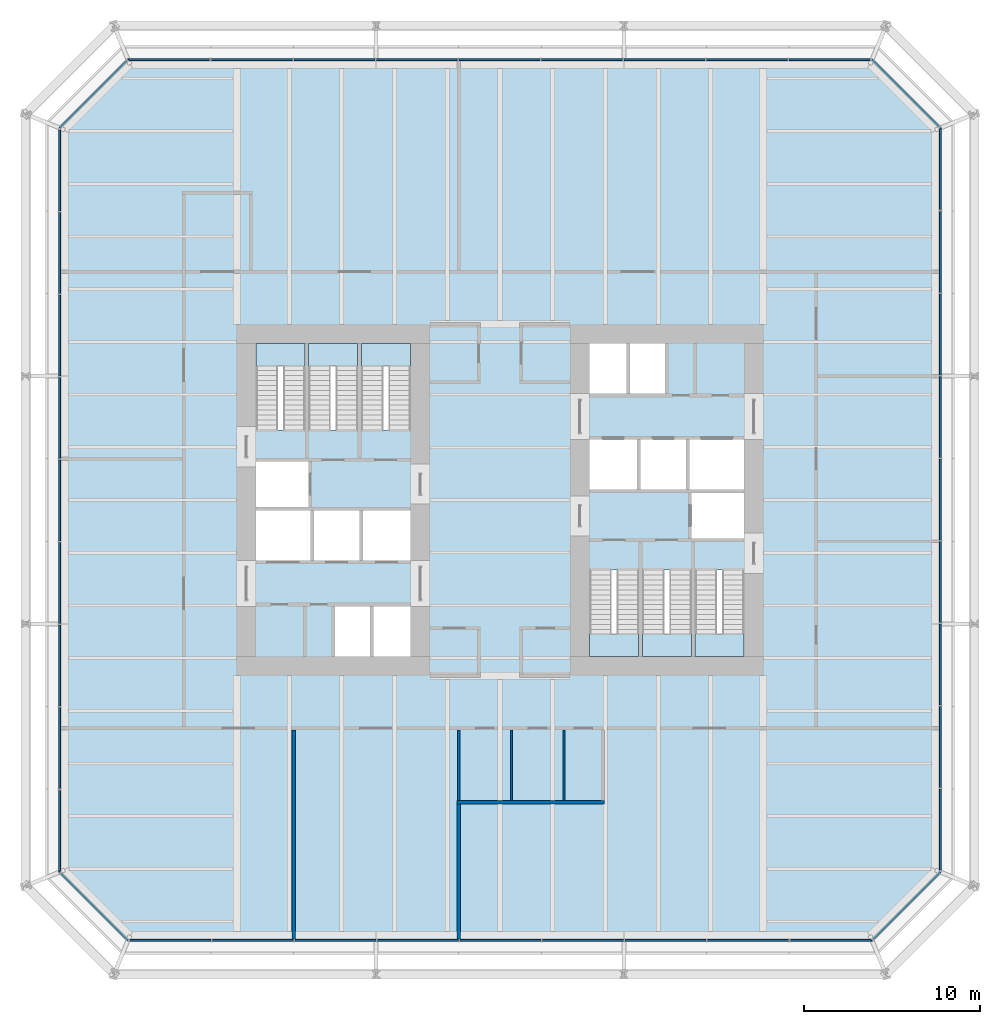
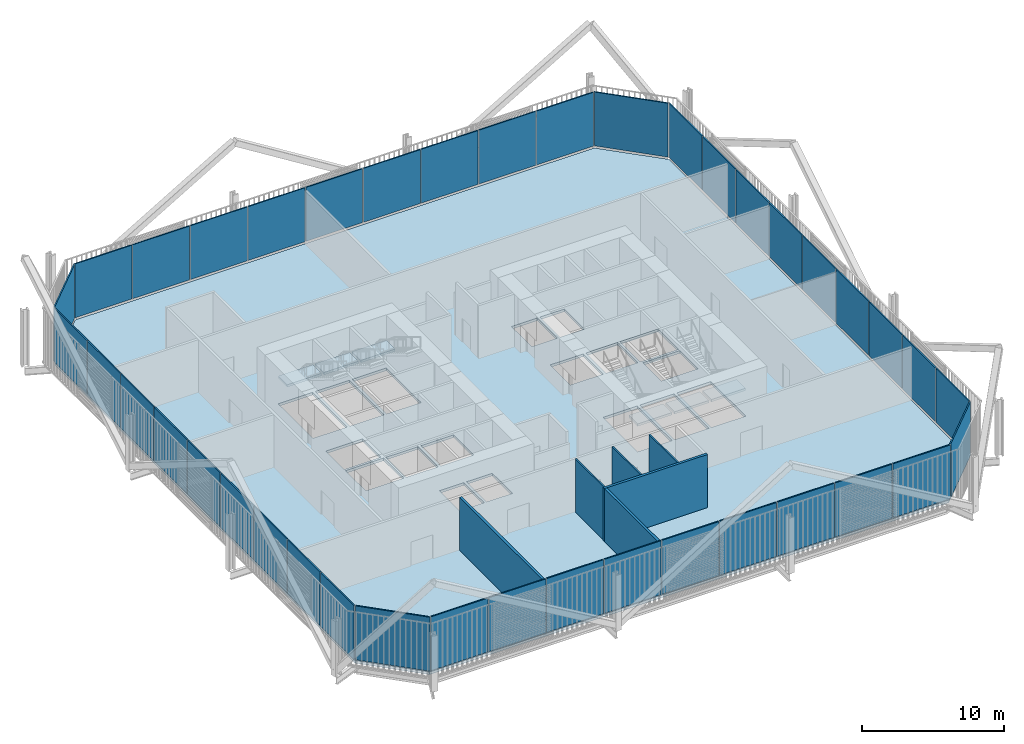
# One storey, part 17 of 22: 40 plates, 7 slabs, 6 walls, 14 elements without a shape of their own.
"""IFC4 building model written with IfcOpenShell, lengths in metres."""

from ifc_helpers import new_model, si_unit, direction, frame, frame_2d, origin, place, context, subcontext, project, spatial, polyline, rectangle, outline, extrude, material, layer, layer_set, type_object, element, aggregate, save


model = new_model("IFC4")

# Units and contexts
model_context = context("Model", 3, precision=1e-05, world=origin(), true_north=direction((0.0, 1.0)))
body_context = subcontext(model_context, "Body", "Model", "MODEL_VIEW")
ifc_project = project(units=[si_unit("LENGTHUNIT", "METRE"), si_unit("AREAUNIT", "SQUARE_METRE"), si_unit("VOLUMEUNIT", "CUBIC_METRE"), si_unit("PLANEANGLEUNIT", "RADIAN"), si_unit("MASSUNIT", "GRAM", prefix="KILO")], contexts=[model_context])

# Site, building, storey
site_placement = place(None, origin())
site = spatial("IfcSite", under=ifc_project, at=site_placement, CompositionType="ELEMENT")
building_placement = place(site_placement, origin())
building = spatial("IfcBuilding", under=site, at=building_placement, Name="Millrace Tower", CompositionType="ELEMENT")
storey_placement = place(building_placement, frame((0.0, 0.0, 20.89990234375)))
storey = spatial("IfcBuildingStorey", under=building, at=storey_placement, Name="L05", CompositionType="ELEMENT", Elevation=20.89990234375)

# Curtain wall, plate
ifc_material_1 = material(Name="Aluminium and glass", Category="aluminium")
ifc_layer_1 = layer(ifc_material_1, 0.14990234375)
ifc_layer_set_1 = layer_set([ifc_layer_1], Name="Aluminium and glass")
curtain_wall_type = type_object("IfcCurtainWallType", Name="CW-2 data hall insulated curtain wall", PredefinedType="NOTDEFINED", material=ifc_layer_set_1)
placement_1 = place(storey_placement, origin())
curtain_wall_1 = element("IfcCurtainWall", 1, at=placement_1, inside=storey, type_object=curtain_wall_type, Name="Curtain wall A-F01 L05", PredefinedType="NOTDEFINED")
ifc_material_2 = material(Name="Glass", Category="glass")
ifc_layer_2 = layer(ifc_material_2, 0.10009765625)
ifc_layer_set_2 = layer_set([ifc_layer_2], Name="Glass")
plate_type = type_object("IfcPlateType", Name="CW-2 data hall insulated curtain wall insulated cassette with vision slot", PredefinedType="CURTAIN_PANEL", material=ifc_layer_set_2)
placement_2 = place(storey_placement, frame((0.0, 0.0, 0.16015625)))
plate_1 = element("IfcPlate", 2, at=placement_2, type_object=plate_type, Name="CW2 panel A-F01.1", PredefinedType="CURTAIN_PANEL", context=body_context, shape_type="SweptSolid", body=[
    extrude(outline(polyline([(-25.04248046875, -21.284423828125), (-21.20166015625, -25.125), (-21.160400390625, -25.02490234375), (-24.9716796875, -21.213623046875), (-25.04248046875, -21.284423828125)])), origin(), (0.0, 0.0, 1.0), 4.639892578125),
])
aggregate(curtain_wall_1, [plate_1])

# Curtain wall, plates
curtain_wall_2 = element("IfcCurtainWall", 3, at=placement_1, inside=storey, type_object=curtain_wall_type, Name="Curtain wall A-F02 L05", PredefinedType="NOTDEFINED")
plate_2 = element("IfcPlate", 4, at=placement_2, type_object=plate_type, Name="CW2 panel A-F02.1", PredefinedType="CURTAIN_PANEL", context=body_context, shape_type="SweptSolid", body=[
    extrude(outline(polyline([(-21.0849609375, -25.125), (-16.449951171875, -25.125), (-16.449951171875, -25.02490234375), (-21.0849609375, -25.02490234375), (-21.0849609375, -25.125)])), origin(), (0.0, 0.0, 1.0), 4.639892578125),
])
plate_3 = element("IfcPlate", 5, at=placement_2, type_object=plate_type, Name="CW2 panel A-F02.2", PredefinedType="CURTAIN_PANEL", context=body_context, shape_type="SweptSolid", body=[
    extrude(outline(polyline([(-16.385009765625, -25.125), (-11.75, -25.125), (-11.75, -25.02490234375), (-16.385009765625, -25.02490234375), (-16.385009765625, -25.125)])), origin(), (0.0, 0.0, 1.0), 4.639892578125),
])
plate_4 = element("IfcPlate", 6, at=placement_2, type_object=plate_type, Name="CW2 panel A-F02.3", PredefinedType="CURTAIN_PANEL", context=body_context, shape_type="SweptSolid", body=[
    extrude(outline(polyline([(-11.68505859375, -25.125), (-7.050048828125, -25.125), (-7.050048828125, -25.02490234375), (-11.68505859375, -25.02490234375), (-11.68505859375, -25.125)])), origin(), (0.0, 0.0, 1.0), 4.639892578125),
])
plate_5 = element("IfcPlate", 7, at=placement_2, type_object=plate_type, Name="CW2 panel A-F02.4", PredefinedType="CURTAIN_PANEL", context=body_context, shape_type="SweptSolid", body=[
    extrude(outline(polyline([(-6.985107421875, -25.125), (-2.35009765625, -25.125), (-2.35009765625, -25.02490234375), (-6.985107421875, -25.02490234375), (-6.985107421875, -25.125)])), origin(), (0.0, 0.0, 1.0), 4.639892578125),
])
plate_6 = element("IfcPlate", 8, at=placement_2, type_object=plate_type, Name="CW2 panel A-F02.5", PredefinedType="CURTAIN_PANEL", context=body_context, shape_type="SweptSolid", body=[
    extrude(outline(polyline([(-2.284912109375, -25.125), (2.35009765625, -25.125), (2.35009765625, -25.02490234375), (-2.284912109375, -25.02490234375), (-2.284912109375, -25.125)])), origin(), (0.0, 0.0, 1.0), 4.639892578125),
])
plate_7 = element("IfcPlate", 9, at=placement_2, type_object=plate_type, Name="CW2 panel A-F02.6", PredefinedType="CURTAIN_PANEL", context=body_context, shape_type="SweptSolid", body=[
    extrude(outline(polyline([(2.4150390625, -25.125), (7.050048828125, -25.125), (7.050048828125, -25.02490234375), (2.4150390625, -25.02490234375), (2.4150390625, -25.125)])), origin(), (0.0, 0.0, 1.0), 4.639892578125),
])
plate_8 = element("IfcPlate", 10, at=placement_2, type_object=plate_type, Name="CW2 panel A-F02.7", PredefinedType="CURTAIN_PANEL", context=body_context, shape_type="SweptSolid", body=[
    extrude(outline(polyline([(7.114990234375, -25.125), (11.75, -25.125), (11.75, -25.02490234375), (7.114990234375, -25.02490234375), (7.114990234375, -25.125)])), origin(), (0.0, 0.0, 1.0), 4.639892578125),
])
plate_9 = element("IfcPlate", 11, at=placement_2, type_object=plate_type, Name="CW2 panel A-F02.8", PredefinedType="CURTAIN_PANEL", context=body_context, shape_type="SweptSolid", body=[
    extrude(outline(polyline([(11.81494140625, -25.125), (16.449951171875, -25.125), (16.449951171875, -25.02490234375), (11.81494140625, -25.02490234375), (11.81494140625, -25.125)])), origin(), (0.0, 0.0, 1.0), 4.639892578125),
])
plate_10 = element("IfcPlate", 12, at=placement_2, type_object=plate_type, Name="CW2 panel A-F02.9", PredefinedType="CURTAIN_PANEL", context=body_context, shape_type="SweptSolid", body=[
    extrude(outline(polyline([(16.514892578125, -25.125), (21.20166015625, -25.125), (21.160400390625, -25.02490234375), (16.514892578125, -25.02490234375), (16.514892578125, -25.125)])), origin(), (0.0, 0.0, 1.0), 4.639892578125),
])
aggregate(curtain_wall_2, [plate_2, plate_3, plate_4, plate_5, plate_6, plate_7, plate_8, plate_9, plate_10])

# Curtain wall, plate
curtain_wall_3 = element("IfcCurtainWall", 13, at=placement_1, inside=storey, type_object=curtain_wall_type, Name="Curtain wall A-F03 L05", PredefinedType="NOTDEFINED")
plate_11 = element("IfcPlate", 14, at=placement_2, type_object=plate_type, Name="CW2 panel A-F03.1", PredefinedType="CURTAIN_PANEL", context=body_context, shape_type="SweptSolid", body=[
    extrude(outline(polyline([(21.284423828125, -25.04248046875), (25.125, -21.20166015625), (25.02490234375, -21.160400390625), (21.213623046875, -24.9716796875), (21.284423828125, -25.04248046875)])), origin(), (0.0, 0.0, 1.0), 4.639892578125),
])
aggregate(curtain_wall_3, [plate_11])

# Curtain wall, plates
curtain_wall_4 = element("IfcCurtainWall", 15, at=placement_1, inside=storey, type_object=curtain_wall_type, Name="Curtain wall A-F04 L05", PredefinedType="NOTDEFINED")
plate_12 = element("IfcPlate", 16, at=placement_2, type_object=plate_type, Name="CW2 panel A-F04.1", PredefinedType="CURTAIN_PANEL", context=body_context, shape_type="SweptSolid", body=[
    extrude(outline(polyline([(25.125, -21.0849609375), (25.125, -16.449951171875), (25.02490234375, -16.449951171875), (25.02490234375, -21.0849609375), (25.125, -21.0849609375)])), origin(), (0.0, 0.0, 1.0), 4.639892578125),
])
plate_13 = element("IfcPlate", 17, at=placement_2, type_object=plate_type, Name="CW2 panel A-F04.2", PredefinedType="CURTAIN_PANEL", context=body_context, shape_type="SweptSolid", body=[
    extrude(outline(polyline([(25.125, -16.385009765625), (25.125, -11.75), (25.02490234375, -11.75), (25.02490234375, -16.385009765625), (25.125, -16.385009765625)])), origin(), (0.0, 0.0, 1.0), 4.639892578125),
])
plate_14 = element("IfcPlate", 18, at=placement_2, type_object=plate_type, Name="CW2 panel A-F04.3", PredefinedType="CURTAIN_PANEL", context=body_context, shape_type="SweptSolid", body=[
    extrude(outline(polyline([(25.125, -11.68505859375), (25.125, -7.050048828125), (25.02490234375, -7.050048828125), (25.02490234375, -11.68505859375), (25.125, -11.68505859375)])), origin(), (0.0, 0.0, 1.0), 4.639892578125),
])
plate_15 = element("IfcPlate", 19, at=placement_2, type_object=plate_type, Name="CW2 panel A-F04.4", PredefinedType="CURTAIN_PANEL", context=body_context, shape_type="SweptSolid", body=[
    extrude(outline(polyline([(25.125, -6.985107421875), (25.125, -2.35009765625), (25.02490234375, -2.35009765625), (25.02490234375, -6.985107421875), (25.125, -6.985107421875)])), origin(), (0.0, 0.0, 1.0), 4.639892578125),
])
plate_16 = element("IfcPlate", 20, at=placement_2, type_object=plate_type, Name="CW2 panel A-F04.5", PredefinedType="CURTAIN_PANEL", context=body_context, shape_type="SweptSolid", body=[
    extrude(outline(polyline([(25.125, -2.284912109375), (25.125, 2.35009765625), (25.02490234375, 2.35009765625), (25.02490234375, -2.284912109375), (25.125, -2.284912109375)])), origin(), (0.0, 0.0, 1.0), 4.639892578125),
])
plate_17 = element("IfcPlate", 21, at=placement_2, type_object=plate_type, Name="CW2 panel A-F04.6", PredefinedType="CURTAIN_PANEL", context=body_context, shape_type="SweptSolid", body=[
    extrude(outline(polyline([(25.125, 2.4150390625), (25.125, 7.050048828125), (25.02490234375, 7.050048828125), (25.02490234375, 2.4150390625), (25.125, 2.4150390625)])), origin(), (0.0, 0.0, 1.0), 4.639892578125),
])
plate_18 = element("IfcPlate", 22, at=placement_2, type_object=plate_type, Name="CW2 panel A-F04.7", PredefinedType="CURTAIN_PANEL", context=body_context, shape_type="SweptSolid", body=[
    extrude(outline(polyline([(25.125, 7.114990234375), (25.125, 11.75), (25.02490234375, 11.75), (25.02490234375, 7.114990234375), (25.125, 7.114990234375)])), origin(), (0.0, 0.0, 1.0), 4.639892578125),
])
plate_19 = element("IfcPlate", 23, at=placement_2, type_object=plate_type, Name="CW2 panel A-F04.8", PredefinedType="CURTAIN_PANEL", context=body_context, shape_type="SweptSolid", body=[
    extrude(outline(polyline([(25.125, 11.81494140625), (25.125, 16.449951171875), (25.02490234375, 16.449951171875), (25.02490234375, 11.81494140625), (25.125, 11.81494140625)])), origin(), (0.0, 0.0, 1.0), 4.639892578125),
])
plate_20 = element("IfcPlate", 24, at=placement_2, type_object=plate_type, Name="CW2 panel A-F04.9", PredefinedType="CURTAIN_PANEL", context=body_context, shape_type="SweptSolid", body=[
    extrude(outline(polyline([(25.125, 16.514892578125), (25.125, 21.20166015625), (25.02490234375, 21.160400390625), (25.02490234375, 16.514892578125), (25.125, 16.514892578125)])), origin(), (0.0, 0.0, 1.0), 4.639892578125),
])
aggregate(curtain_wall_4, [plate_12, plate_13, plate_14, plate_15, plate_16, plate_17, plate_18, plate_19, plate_20])

# Curtain wall, plate
curtain_wall_5 = element("IfcCurtainWall", 25, at=placement_1, inside=storey, type_object=curtain_wall_type, Name="Curtain wall A-F05 L05", PredefinedType="NOTDEFINED")
plate_21 = element("IfcPlate", 26, at=placement_2, type_object=plate_type, Name="CW2 panel A-F05.1", PredefinedType="CURTAIN_PANEL", context=body_context, shape_type="SweptSolid", body=[
    extrude(outline(polyline([(25.04248046875, 21.284423828125), (21.20166015625, 25.125), (21.160400390625, 25.02490234375), (24.9716796875, 21.213623046875), (25.04248046875, 21.284423828125)])), origin(), (0.0, 0.0, 1.0), 4.639892578125),
])
aggregate(curtain_wall_5, [plate_21])

# Curtain wall, plates
curtain_wall_6 = element("IfcCurtainWall", 27, at=placement_1, inside=storey, type_object=curtain_wall_type, Name="Curtain wall A-F06 L05", PredefinedType="NOTDEFINED")
plate_22 = element("IfcPlate", 28, at=placement_2, type_object=plate_type, Name="CW2 panel A-F06.1", PredefinedType="CURTAIN_PANEL", context=body_context, shape_type="SweptSolid", body=[
    extrude(outline(polyline([(21.0849609375, 25.125), (16.449951171875, 25.125), (16.449951171875, 25.02490234375), (21.0849609375, 25.02490234375), (21.0849609375, 25.125)])), origin(), (0.0, 0.0, 1.0), 4.639892578125),
])
plate_23 = element("IfcPlate", 29, at=placement_2, type_object=plate_type, Name="CW2 panel A-F06.2", PredefinedType="CURTAIN_PANEL", context=body_context, shape_type="SweptSolid", body=[
    extrude(outline(polyline([(16.385009765625, 25.125), (11.75, 25.125), (11.75, 25.02490234375), (16.385009765625, 25.02490234375), (16.385009765625, 25.125)])), origin(), (0.0, 0.0, 1.0), 4.639892578125),
])
plate_24 = element("IfcPlate", 30, at=placement_2, type_object=plate_type, Name="CW2 panel A-F06.3", PredefinedType="CURTAIN_PANEL", context=body_context, shape_type="SweptSolid", body=[
    extrude(outline(polyline([(11.68505859375, 25.125), (7.050048828125, 25.125), (7.050048828125, 25.02490234375), (11.68505859375, 25.02490234375), (11.68505859375, 25.125)])), origin(), (0.0, 0.0, 1.0), 4.639892578125),
])
plate_25 = element("IfcPlate", 31, at=placement_2, type_object=plate_type, Name="CW2 panel A-F06.4", PredefinedType="CURTAIN_PANEL", context=body_context, shape_type="SweptSolid", body=[
    extrude(outline(polyline([(6.985107421875, 25.125), (2.35009765625, 25.125), (2.35009765625, 25.02490234375), (6.985107421875, 25.02490234375), (6.985107421875, 25.125)])), origin(), (0.0, 0.0, 1.0), 4.639892578125),
])
plate_26 = element("IfcPlate", 32, at=placement_2, type_object=plate_type, Name="CW2 panel A-F06.5", PredefinedType="CURTAIN_PANEL", context=body_context, shape_type="SweptSolid", body=[
    extrude(outline(polyline([(2.284912109375, 25.125), (-2.35009765625, 25.125), (-2.35009765625, 25.02490234375), (2.284912109375, 25.02490234375), (2.284912109375, 25.125)])), origin(), (0.0, 0.0, 1.0), 4.639892578125),
])
plate_27 = element("IfcPlate", 33, at=placement_2, type_object=plate_type, Name="CW2 panel A-F06.6", PredefinedType="CURTAIN_PANEL", context=body_context, shape_type="SweptSolid", body=[
    extrude(outline(polyline([(-2.4150390625, 25.125), (-7.050048828125, 25.125), (-7.050048828125, 25.02490234375), (-2.4150390625, 25.02490234375), (-2.4150390625, 25.125)])), origin(), (0.0, 0.0, 1.0), 4.639892578125),
])
plate_28 = element("IfcPlate", 34, at=placement_2, type_object=plate_type, Name="CW2 panel A-F06.7", PredefinedType="CURTAIN_PANEL", context=body_context, shape_type="SweptSolid", body=[
    extrude(outline(polyline([(-7.114990234375, 25.125), (-11.75, 25.125), (-11.75, 25.02490234375), (-7.114990234375, 25.02490234375), (-7.114990234375, 25.125)])), origin(), (0.0, 0.0, 1.0), 4.639892578125),
])
plate_29 = element("IfcPlate", 35, at=placement_2, type_object=plate_type, Name="CW2 panel A-F06.8", PredefinedType="CURTAIN_PANEL", context=body_context, shape_type="SweptSolid", body=[
    extrude(outline(polyline([(-11.81494140625, 25.125), (-16.449951171875, 25.125), (-16.449951171875, 25.02490234375), (-11.81494140625, 25.02490234375), (-11.81494140625, 25.125)])), origin(), (0.0, 0.0, 1.0), 4.639892578125),
])
plate_30 = element("IfcPlate", 36, at=placement_2, type_object=plate_type, Name="CW2 panel A-F06.9", PredefinedType="CURTAIN_PANEL", context=body_context, shape_type="SweptSolid", body=[
    extrude(outline(polyline([(-16.514892578125, 25.125), (-21.20166015625, 25.125), (-21.160400390625, 25.02490234375), (-16.514892578125, 25.02490234375), (-16.514892578125, 25.125)])), origin(), (0.0, 0.0, 1.0), 4.639892578125),
])
aggregate(curtain_wall_6, [plate_22, plate_23, plate_24, plate_25, plate_26, plate_27, plate_28, plate_29, plate_30])

# Curtain wall, plate
curtain_wall_7 = element("IfcCurtainWall", 37, at=placement_1, inside=storey, type_object=curtain_wall_type, Name="Curtain wall A-F07 L05", PredefinedType="NOTDEFINED")
plate_31 = element("IfcPlate", 38, at=placement_2, type_object=plate_type, Name="CW2 panel A-F07.1", PredefinedType="CURTAIN_PANEL", context=body_context, shape_type="SweptSolid", body=[
    extrude(outline(polyline([(-21.284423828125, 25.04248046875), (-25.125, 21.20166015625), (-25.02490234375, 21.160400390625), (-21.213623046875, 24.9716796875), (-21.284423828125, 25.04248046875)])), origin(), (0.0, 0.0, 1.0), 4.639892578125),
])
aggregate(curtain_wall_7, [plate_31])

# Curtain wall, plates
curtain_wall_8 = element("IfcCurtainWall", 39, at=placement_1, inside=storey, type_object=curtain_wall_type, Name="Curtain wall A-F08 L05", PredefinedType="NOTDEFINED")
plate_32 = element("IfcPlate", 40, at=placement_2, type_object=plate_type, Name="CW2 panel A-F08.1", PredefinedType="CURTAIN_PANEL", context=body_context, shape_type="SweptSolid", body=[
    extrude(outline(polyline([(-25.125, 21.0849609375), (-25.125, 16.449951171875), (-25.02490234375, 16.449951171875), (-25.02490234375, 21.0849609375), (-25.125, 21.0849609375)])), origin(), (0.0, 0.0, 1.0), 4.639892578125),
])
plate_33 = element("IfcPlate", 41, at=placement_2, type_object=plate_type, Name="CW2 panel A-F08.2", PredefinedType="CURTAIN_PANEL", context=body_context, shape_type="SweptSolid", body=[
    extrude(outline(polyline([(-25.125, 16.385009765625), (-25.125, 11.75), (-25.02490234375, 11.75), (-25.02490234375, 16.385009765625), (-25.125, 16.385009765625)])), origin(), (0.0, 0.0, 1.0), 4.639892578125),
])
plate_34 = element("IfcPlate", 42, at=placement_2, type_object=plate_type, Name="CW2 panel A-F08.3", PredefinedType="CURTAIN_PANEL", context=body_context, shape_type="SweptSolid", body=[
    extrude(outline(polyline([(-25.125, 11.68505859375), (-25.125, 7.050048828125), (-25.02490234375, 7.050048828125), (-25.02490234375, 11.68505859375), (-25.125, 11.68505859375)])), origin(), (0.0, 0.0, 1.0), 4.639892578125),
])
plate_35 = element("IfcPlate", 43, at=placement_2, type_object=plate_type, Name="CW2 panel A-F08.4", PredefinedType="CURTAIN_PANEL", context=body_context, shape_type="SweptSolid", body=[
    extrude(outline(polyline([(-25.125, 6.985107421875), (-25.125, 2.35009765625), (-25.02490234375, 2.35009765625), (-25.02490234375, 6.985107421875), (-25.125, 6.985107421875)])), origin(), (0.0, 0.0, 1.0), 4.639892578125),
])
plate_36 = element("IfcPlate", 44, at=placement_2, type_object=plate_type, Name="CW2 panel A-F08.5", PredefinedType="CURTAIN_PANEL", context=body_context, shape_type="SweptSolid", body=[
    extrude(outline(polyline([(-25.125, 2.284912109375), (-25.125, -2.35009765625), (-25.02490234375, -2.35009765625), (-25.02490234375, 2.284912109375), (-25.125, 2.284912109375)])), origin(), (0.0, 0.0, 1.0), 4.639892578125),
])
plate_37 = element("IfcPlate", 45, at=placement_2, type_object=plate_type, Name="CW2 panel A-F08.6", PredefinedType="CURTAIN_PANEL", context=body_context, shape_type="SweptSolid", body=[
    extrude(outline(polyline([(-25.125, -2.4150390625), (-25.125, -7.050048828125), (-25.02490234375, -7.050048828125), (-25.02490234375, -2.4150390625), (-25.125, -2.4150390625)])), origin(), (0.0, 0.0, 1.0), 4.639892578125),
])
plate_38 = element("IfcPlate", 46, at=placement_2, type_object=plate_type, Name="CW2 panel A-F08.7", PredefinedType="CURTAIN_PANEL", context=body_context, shape_type="SweptSolid", body=[
    extrude(outline(polyline([(-25.125, -7.114990234375), (-25.125, -11.75), (-25.02490234375, -11.75), (-25.02490234375, -7.114990234375), (-25.125, -7.114990234375)])), origin(), (0.0, 0.0, 1.0), 4.639892578125),
])
plate_39 = element("IfcPlate", 47, at=placement_2, type_object=plate_type, Name="CW2 panel A-F08.8", PredefinedType="CURTAIN_PANEL", context=body_context, shape_type="SweptSolid", body=[
    extrude(outline(polyline([(-25.125, -11.81494140625), (-25.125, -16.449951171875), (-25.02490234375, -16.449951171875), (-25.02490234375, -11.81494140625), (-25.125, -11.81494140625)])), origin(), (0.0, 0.0, 1.0), 4.639892578125),
])
plate_40 = element("IfcPlate", 48, at=placement_2, type_object=plate_type, Name="CW2 panel A-F08.9", PredefinedType="CURTAIN_PANEL", context=body_context, shape_type="SweptSolid", body=[
    extrude(outline(polyline([(-25.125, -16.514892578125), (-25.125, -21.20166015625), (-25.02490234375, -21.160400390625), (-25.02490234375, -16.514892578125), (-25.125, -16.514892578125)])), origin(), (0.0, 0.0, 1.0), 4.639892578125),
])
aggregate(curtain_wall_8, [plate_32, plate_33, plate_34, plate_35, plate_36, plate_37, plate_38, plate_39, plate_40])

# Slab
ifc_material_3 = material(Name="Concrete C35 on steel deck", Category="concrete")
ifc_layer_3 = layer(ifc_material_3, 0.22509765625)
ifc_layer_set_3 = layer_set([ifc_layer_3], Name="Concrete C35 on steel deck")
slab_type_1 = type_object("IfcSlabType", Name="Composite floor slab 225 mm", PredefinedType="FLOOR", material=ifc_layer_set_3)
slab_1_placement = place(storey_placement, frame((0.0, 0.0, -0.224853515625)))
element("IfcSlab", 49, at=slab_1_placement, inside=storey, type_object=slab_type_1, Name="SL-A-L05-S1", PredefinedType="FLOOR", context=body_context, shape_type="SweptSolid", body=[
    extrude(outline(polyline([(-25.0, -21.14990234375), (-21.14990234375, -25.0), (21.14990234375, -25.0), (25.0, -21.14990234375), (25.0, 21.14990234375), (21.14990234375, 25.0), (-21.14990234375, 25.0), (-25.0, 21.14990234375), (-25.0, -21.14990234375)]), holes=[polyline([(-9.39990234375, -8.89990234375), (-7.39990234375, -8.89990234375), (-7.39990234375, -6.050048828125), (-9.39990234375, -6.050048828125), (-9.39990234375, -8.89990234375)]), polyline([(-7.199951171875, -8.89990234375), (-5.10009765625, -8.89990234375), (-5.10009765625, -6.050048828125), (-7.199951171875, -6.050048828125), (-7.199951171875, -8.89990234375)]), polyline([(-13.89990234375, -3.449951171875), (-10.800048828125, -3.449951171875), (-10.800048828125, -0.60009765625), (-13.89990234375, -0.60009765625), (-13.89990234375, -3.449951171875)]), polyline([(-10.60009765625, -3.449951171875), (-8.0, -3.449951171875), (-8.0, -0.60009765625), (-10.60009765625, -0.60009765625), (-10.60009765625, -3.449951171875)]), polyline([(-7.800048828125, -3.449951171875), (-5.10009765625, -3.449951171875), (-5.10009765625, -0.60009765625), (-7.800048828125, -0.60009765625), (-7.800048828125, -3.449951171875)]), polyline([(-13.89990234375, -0.39990234375), (-10.89990234375, -0.39990234375), (-10.89990234375, 2.179931640625), (-13.89990234375, 2.179931640625), (-13.89990234375, -0.39990234375)]), polyline([(-13.89990234375, 4.0), (-11.10009765625, 4.0), (-11.10009765625, 8.89990234375), (-13.89990234375, 8.89990234375), (-13.89990234375, 4.0)]), polyline([(-10.89990234375, 4.0), (-8.10009765625, 4.0), (-8.10009765625, 8.89990234375), (-10.89990234375, 8.89990234375), (-10.89990234375, 4.0)]), polyline([(-7.89990234375, 4.0), (-5.10009765625, 4.0), (-5.10009765625, 8.89990234375), (-7.89990234375, 8.89990234375), (-7.89990234375, 4.0)]), polyline([(7.39990234375, 6.050048828125), (9.39990234375, 6.050048828125), (9.39990234375, 8.89990234375), (7.39990234375, 8.89990234375), (7.39990234375, 6.050048828125)]), polyline([(5.10009765625, 6.050048828125), (7.199951171875, 6.050048828125), (7.199951171875, 8.89990234375), (5.10009765625, 8.89990234375), (5.10009765625, 6.050048828125)]), polyline([(10.800048828125, 0.60009765625), (13.89990234375, 0.60009765625), (13.89990234375, 3.449951171875), (10.800048828125, 3.449951171875), (10.800048828125, 0.60009765625)]), polyline([(8.0, 0.60009765625), (10.60009765625, 0.60009765625), (10.60009765625, 3.449951171875), (8.0, 3.449951171875), (8.0, 0.60009765625)]), polyline([(5.10009765625, 0.60009765625), (7.800048828125, 0.60009765625), (7.800048828125, 3.449951171875), (5.10009765625, 3.449951171875), (5.10009765625, 0.60009765625)]), polyline([(10.89990234375, -2.179931640625), (13.89990234375, -2.179931640625), (13.89990234375, 0.39990234375), (10.89990234375, 0.39990234375), (10.89990234375, -2.179931640625)]), polyline([(11.10009765625, -8.89990234375), (13.89990234375, -8.89990234375), (13.89990234375, -4.0), (11.10009765625, -4.0), (11.10009765625, -8.89990234375)]), polyline([(8.10009765625, -8.89990234375), (10.89990234375, -8.89990234375), (10.89990234375, -4.0), (8.10009765625, -4.0), (8.10009765625, -8.89990234375)]), polyline([(5.10009765625, -8.89990234375), (7.89990234375, -8.89990234375), (7.89990234375, -4.0), (5.10009765625, -4.0), (5.10009765625, -8.89990234375)])]), origin(), (0.0, 0.0, 1.0), 0.224853515625),
])

# Stair, slab
ifc_material_4 = material(Name="Concrete C35", Category="concrete")
stair_type = type_object("IfcStairType", Name="Exit stair", PredefinedType="HALF_TURN_STAIR", material=ifc_material_4)
stair_1 = element("IfcStair", 50, at=placement_1, inside=storey, type_object=stair_type, Name="Stair 1 W L05", PredefinedType="HALF_TURN_STAIR")
ifc_material_5 = material(Name="Concrete C40", Category="concrete")
ifc_layer_4 = layer(ifc_material_5, 0.199951171875)
ifc_layer_set_4 = layer_set([ifc_layer_4], Name="Concrete C40")
slab_type_2 = type_object("IfcSlabType", Name="Stair landing", PredefinedType="LANDING", material=ifc_layer_set_4)
placement_3 = place(storey_placement, frame((0.0, 0.0, 2.2001953125)))
slab_2 = element("IfcSlab", 51, at=placement_3, type_object=slab_type_2, Name="ST12 landing 1", PredefinedType="LANDING", context=body_context, shape_type="SweptSolid", body=[
    extrude(outline(polyline([(-13.89990234375, 7.639892578125), (-11.10009765625, 7.639892578125), (-11.10009765625, 8.89990234375), (-13.89990234375, 8.89990234375), (-13.89990234375, 7.639892578125)])), origin(), (0.0, 0.0, 1.0), 0.199951171875),
])
aggregate(stair_1, [slab_2])

stair_2 = element("IfcStair", 52, at=placement_1, inside=storey, type_object=stair_type, Name="Stair 2 W L05", PredefinedType="HALF_TURN_STAIR")
slab_3 = element("IfcSlab", 53, at=placement_3, type_object=slab_type_2, Name="ST12 landing 1", PredefinedType="LANDING", context=body_context, shape_type="SweptSolid", body=[
    extrude(outline(polyline([(-10.89990234375, 7.639892578125), (-8.10009765625, 7.639892578125), (-8.10009765625, 8.89990234375), (-10.89990234375, 8.89990234375), (-10.89990234375, 7.639892578125)])), origin(), (0.0, 0.0, 1.0), 0.199951171875),
])
aggregate(stair_2, [slab_3])

stair_3 = element("IfcStair", 54, at=placement_1, inside=storey, type_object=stair_type, Name="Stair 3 W L05", PredefinedType="HALF_TURN_STAIR")
slab_4 = element("IfcSlab", 55, at=placement_3, type_object=slab_type_2, Name="ST12 landing 1", PredefinedType="LANDING", context=body_context, shape_type="SweptSolid", body=[
    extrude(outline(polyline([(-7.89990234375, 7.639892578125), (-5.10009765625, 7.639892578125), (-5.10009765625, 8.89990234375), (-7.89990234375, 8.89990234375), (-7.89990234375, 7.639892578125)])), origin(), (0.0, 0.0, 1.0), 0.199951171875),
])
aggregate(stair_3, [slab_4])

stair_4 = element("IfcStair", 56, at=placement_1, inside=storey, type_object=stair_type, Name="Stair 1 E L05", PredefinedType="HALF_TURN_STAIR")
slab_5 = element("IfcSlab", 57, at=placement_3, type_object=slab_type_2, Name="ST12 landing 1", PredefinedType="LANDING", context=body_context, shape_type="SweptSolid", body=[
    extrude(outline(polyline([(11.10009765625, -8.89990234375), (13.89990234375, -8.89990234375), (13.89990234375, -7.639892578125), (11.10009765625, -7.639892578125), (11.10009765625, -8.89990234375)])), origin(), (0.0, 0.0, 1.0), 0.199951171875),
])
aggregate(stair_4, [slab_5])

stair_5 = element("IfcStair", 58, at=placement_1, inside=storey, type_object=stair_type, Name="Stair 2 E L05", PredefinedType="HALF_TURN_STAIR")
slab_6 = element("IfcSlab", 59, at=placement_3, type_object=slab_type_2, Name="ST12 landing 1", PredefinedType="LANDING", context=body_context, shape_type="SweptSolid", body=[
    extrude(outline(polyline([(8.10009765625, -8.89990234375), (10.89990234375, -8.89990234375), (10.89990234375, -7.639892578125), (8.10009765625, -7.639892578125), (8.10009765625, -8.89990234375)])), origin(), (0.0, 0.0, 1.0), 0.199951171875),
])
aggregate(stair_5, [slab_6])

stair_6 = element("IfcStair", 60, at=placement_1, inside=storey, type_object=stair_type, Name="Stair 3 E L05", PredefinedType="HALF_TURN_STAIR")
slab_7 = element("IfcSlab", 61, at=placement_3, type_object=slab_type_2, Name="ST12 landing 1", PredefinedType="LANDING", context=body_context, shape_type="SweptSolid", body=[
    extrude(outline(polyline([(5.10009765625, -8.89990234375), (7.89990234375, -8.89990234375), (7.89990234375, -7.639892578125), (5.10009765625, -7.639892578125), (5.10009765625, -8.89990234375)])), origin(), (0.0, 0.0, 1.0), 0.199951171875),
])
aggregate(stair_6, [slab_7])

# Walls
ifc_material_6 = material(Name="Masonry partition, fire-rated", Category="masonry")
ifc_layer_5 = layer(ifc_material_6, 0.199951171875)
ifc_layer_set_5 = layer_set([ifc_layer_5], Name="Masonry partition, fire-rated")
wall_type_1 = type_object("IfcWallType", Name="Corridor wall 200", PredefinedType="PARTITIONING", material=ifc_layer_set_5)
wall_1_placement = place(storey_placement, frame((-2.449951171875, -17.199951171875, 0.0), z_axis=(0.0, 0.0, 1.0), x_axis=(1.0, 0.0, 0.0)))
element("IfcWall", 62, at=wall_1_placement, inside=storey, type_object=wall_type_1, Name="Corridor wall L05", PredefinedType="PARTITIONING", context=body_context, shape_type="SweptSolid", body=[
    extrude(rectangle(XDim=8.39990234375, YDim=0.199951171875, at=frame_2d((4.199951171875, 0.0))), origin(), (0.0, 0.0, 1.0), 4.5751953125),
])
wall_2_placement = place(storey_placement, frame((-2.35009765625, -25.030029296875, 0.0), z_axis=(0.0, 0.0, 1.0), x_axis=(0.0, 1.0, 0.0)))
element("IfcWall", 63, at=wall_2_placement, inside=storey, type_object=wall_type_1, Name="Corridor wall L05", PredefinedType="PARTITIONING", context=body_context, shape_type="SweptSolid", body=[
    extrude(rectangle(XDim=7.72998046875, YDim=0.199951171875, at=frame_2d((3.864990234375, 0.0))), origin(), (0.0, 0.0, 1.0), 4.5751953125),
])
wall_3_placement = place(storey_placement, frame((-11.75, -25.030029296875, 0.0), z_axis=(0.0, 0.0, 1.0), x_axis=(0.0, 1.0, 0.0)))
element("IfcWall", 64, at=wall_3_placement, inside=storey, type_object=wall_type_1, Name="Corridor wall L05", PredefinedType="PARTITIONING", context=body_context, shape_type="SweptSolid", body=[
    extrude(rectangle(XDim=11.929931640625, YDim=0.199951171875, at=frame_2d((5.96484375, 0.0))), origin(), (0.0, 0.0, 1.0), 4.5751953125),
])
ifc_material_7 = material(Name="Gypsum board partition")
ifc_layer_6 = layer(ifc_material_7, 0.1201171875)
ifc_layer_set_6 = layer_set([ifc_layer_6], Name="Gypsum board partition")
wall_type_2 = type_object("IfcWallType", Name="Partition wall 120", PredefinedType="PARTITIONING", material=ifc_layer_set_6)
for number, where, z_axis, x_axis, name in (
    (65, (3.64990234375, -17.10009765625, 0.0), (0.0, 0.0, 1.0), (0.0, 1.0, 0.0), "Partition wall L05"),
    (66, (0.64990234375, -17.10009765625, 0.0), (0.0, 0.0, 1.0), (0.0, 1.0, 0.0), "Partition wall L05"),
    (67, (-2.35009765625, -17.10009765625, 0.0), (0.0, 0.0, 1.0), (0.0, 1.0, 0.0), "Partition wall L05"),
):
    element("IfcWall", number, at=place(storey_placement, frame(where, z_axis=z_axis, x_axis=x_axis)), inside=storey, type_object=wall_type_2, Name=name, PredefinedType="PARTITIONING", context=body_context, shape_type="SweptSolid", body=[
        extrude(rectangle(XDim=4.0, YDim=0.1201171875, at=frame_2d((2.0, 0.0))), origin(), (0.0, 0.0, 1.0), 4.5751953125),
    ])

save(model, "model.ifc")
